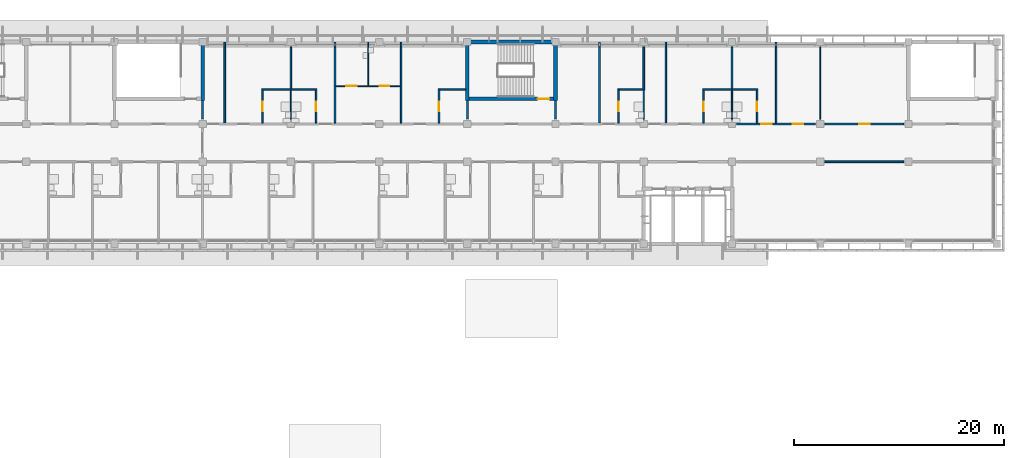
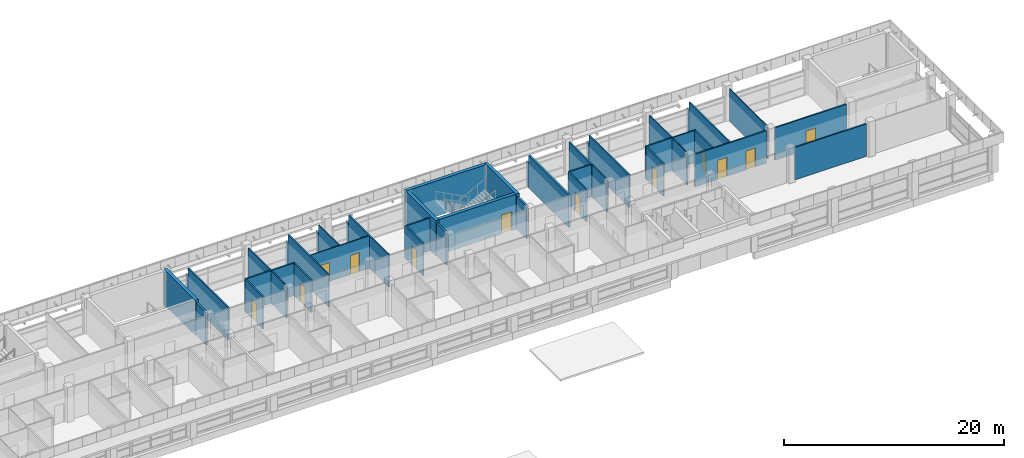
# One storey, part 20 of 36: 43 walls, 12 doors, 12 openings.
"""IFC4 building model written with IfcOpenShell, lengths in metres."""

from ifc_helpers import new_model, si_unit, direction, frame, frame_2d, origin, place, context, subcontext, project, spatial, rectangle, extrude, material, layer, layer_set, type_object, element, fill, save


model = new_model("IFC4")

# Units and contexts
model_context = context("Model", 3, precision=1e-05, world=origin(), true_north=direction((0.0, 1.0)))
body_context = subcontext(model_context, "Body", "Model", "MODEL_VIEW")
ifc_project = project(units=[si_unit("LENGTHUNIT", "METRE"), si_unit("AREAUNIT", "SQUARE_METRE"), si_unit("VOLUMEUNIT", "CUBIC_METRE"), si_unit("PLANEANGLEUNIT", "RADIAN"), si_unit("MASSUNIT", "GRAM", prefix="KILO")], contexts=[model_context])

# Site, building, storey
site_placement = place(None, origin())
site = spatial("IfcSite", under=ifc_project, at=site_placement, CompositionType="ELEMENT")
building_placement = place(site_placement, origin())
building = spatial("IfcBuilding", under=site, at=building_placement, Name="Bougainvillea Quay General Hospital", CompositionType="ELEMENT")
storey_placement = place(building_placement, frame((0.0, 0.0, 32.699951171875)))
storey = spatial("IfcBuildingStorey", under=building, at=storey_placement, Name="L07", CompositionType="ELEMENT", Elevation=32.699951171875)

# Wall
ifc_material_1 = material(Name="Gypsum board partition on steel studs", Category="steel")
ifc_layer_1 = layer(ifc_material_1, 0.10009765625)
ifc_layer_set_1 = layer_set([ifc_layer_1], Name="Gypsum board partition on steel studs")
wall_type_1 = type_object("IfcWallType", Name="Partition 100 Gypsum board partition", PredefinedType="PARTITIONING", material=ifc_layer_set_1)
wall_1_placement = place(storey_placement, frame((168.0, 152.25, 0.0), z_axis=(0.0, 0.0, 1.0), x_axis=(0.0, 1.0, 0.0)))
element("IfcWall", 1, at=wall_1_placement, inside=storey, type_object=wall_type_1, Name="Partition 100 mm", PredefinedType="PARTITIONING", context=body_context, shape_type="SweptSolid", body=[
    extrude(rectangle(XDim=6.89990234375, YDim=0.10009765625, at=frame_2d((3.449951171875, 0.0))), origin(), (0.0, 0.0, 1.0), 3.60009765625),
])

# Wall, openings, doors
wall_2_placement = place(storey_placement, frame((121.875, 155.39990234375, 0.0), z_axis=(0.0, 0.0, 1.0), x_axis=(1.0, 0.0, 0.0)))
wall_2 = element("IfcWall", 2, at=wall_2_placement, inside=storey, type_object=wall_type_1, Name="Partition 100 mm", PredefinedType="PARTITIONING", context=body_context, shape_type="SweptSolid", body=[
    extrude(rectangle(XDim=6.14990234375, YDim=0.10009765625, at=frame_2d((3.074951171875, 0.0))), origin(), (0.0, 0.0, 1.0), 3.60009765625),
])
opening_1_placement = place(wall_2_placement, frame((1.0, 0.0, 0.0)))
opening_1 = element("IfcOpeningElement", 3, at=opening_1_placement, cuts=wall_2, Name="Opening L07.055", PredefinedType="OPENING", context=body_context, shape_type="SweptSolid", body=[
    extrude(rectangle(XDim=1.0, YDim=2.10009765625, at=frame_2d((0.5, 1.050048828125))), frame((0.0, 0.06005859375, 0.0), z_axis=(0.0, -1.0, 0.0), x_axis=(1.0, 0.0, 0.0)), (0.0, 0.0, 1.0), 0.1201171875),
])
opening_2_placement = place(wall_2_placement, frame((4.199951171875, 0.0, 0.0)))
opening_2 = element("IfcOpeningElement", 4, at=opening_2_placement, cuts=wall_2, Name="Opening L07.056", PredefinedType="OPENING", context=body_context, shape_type="SweptSolid", body=[
    extrude(rectangle(XDim=0.89990234375, YDim=2.10009765625, at=frame_2d((0.449951171875, 1.050048828125))), frame((0.0, 0.06005859375, 0.0), z_axis=(0.0, -1.0, 0.0), x_axis=(1.0, 0.0, 0.0)), (0.0, 0.0, 1.0), 0.1201171875),
])
ifc_material_2 = material(Name="Solid-core timber door leaf in steel frame", Category="steel")
door_type_1 = type_object("IfcDoorType", Name="Single leaf door 1000x2100", OperationType="NOTDEFINED", PredefinedType="DOOR", material=ifc_material_2)
door_1_placement = place(opening_1_placement, origin())
door_1 = element("IfcDoor", 5, at=door_1_placement, inside=storey, type_object=door_type_1, Name="DT06 L07.055", OperationType="SINGLE_SWING_LEFT", OverallHeight=2.10009765625, OverallWidth=1.0, PredefinedType="DOOR", context=body_context, shape_type="SweptSolid", body=[
    extrude(rectangle(XDim=1.0, YDim=2.10009765625, at=frame_2d((0.5, 1.050048828125))), frame((0.0, 0.02490234375, 0.0), z_axis=(0.0, -1.0, 0.0), x_axis=(1.0, 0.0, 0.0)), (0.0, 0.0, 1.0), 0.050048828125),
])
fill(opening_1, door_1)
door_type_2 = type_object("IfcDoorType", Name="Single leaf door 900x2100", OperationType="NOTDEFINED", PredefinedType="DOOR", material=ifc_material_2)
door_2_placement = place(opening_2_placement, origin())
door_2 = element("IfcDoor", 6, at=door_2_placement, inside=storey, type_object=door_type_2, Name="DT07 L07.056", OperationType="SINGLE_SWING_RIGHT", OverallHeight=2.10009765625, OverallWidth=0.89990234375, PredefinedType="DOOR", context=body_context, shape_type="SweptSolid", body=[
    extrude(rectangle(XDim=0.89990234375, YDim=2.10009765625, at=frame_2d((0.449951171875, 1.050048828125))), frame((0.0, 0.02490234375, 0.0), z_axis=(0.0, -1.0, 0.0), x_axis=(1.0, 0.0, 0.0)), (0.0, 0.0, 1.0), 0.050048828125),
])
fill(opening_2, door_2)

# Walls
wall_3_placement = place(storey_placement, frame((124.949951171875, 155.449951171875, 0.0), z_axis=(0.0, 0.0, 1.0), x_axis=(0.0, 1.0, 0.0)))
element("IfcWall", 7, at=wall_3_placement, inside=storey, type_object=wall_type_1, Name="Partition 100 mm", PredefinedType="PARTITIONING", context=body_context, shape_type="SweptSolid", body=[
    extrude(rectangle(XDim=3.699951171875, YDim=0.10009765625, at=frame_2d((1.85009765625, 0.0))), origin(), (0.0, 0.0, 1.0), 3.60009765625),
])
wall_4_placement = place(storey_placement, frame((124.949951171875, 159.14990234375, 0.0), z_axis=(0.0, 0.0, 1.0), x_axis=(0.0, 1.0, 0.0)))
element("IfcWall", 8, at=wall_4_placement, inside=storey, type_object=wall_type_1, Name="Partition 100 mm", PredefinedType="PARTITIONING", context=body_context, shape_type="SweptSolid", body=[
    extrude(rectangle(XDim=0.4501953125, YDim=0.10009765625, at=frame_2d((0.22509765625, 0.0))), origin(), (0.0, 0.0, 1.0), 2.679931640625),
])
for number, where, z_axis, x_axis, name in (
    (9, (117.60009765625, 152.25, 0.0), (0.0, 0.0, 1.0), (0.0, 1.0, 0.0), "Partition 100 mm"),
    (10, (151.199951171875, 152.25, 0.0), (0.0, 0.0, 1.0), (0.0, 1.0, 0.0), "Partition 100 mm"),
    (11, (159.60009765625, 152.25, 0.0), (0.0, 0.0, 1.0), (0.0, 1.0, 0.0), "Partition 100 mm"),
):
    element("IfcWall", number, at=place(storey_placement, frame(where, z_axis=z_axis, x_axis=x_axis)), inside=storey, type_object=wall_type_1, Name=name, PredefinedType="PARTITIONING", context=body_context, shape_type="SweptSolid", body=[
        extrude(rectangle(XDim=2.77490234375, YDim=0.10009765625, at=frame_2d((1.387451171875, 0.0))), origin(), (0.0, 0.0, 1.0), 3.60009765625),
    ])
ifc_material_3 = material(Name="Gypsum board partition on steel studs, insulated", Category="steel")
ifc_layer_2 = layer(ifc_material_3, 0.14990234375)
ifc_layer_set_2 = layer_set([ifc_layer_2], Name="Gypsum board partition on steel studs, insulated")
wall_type_2 = type_object("IfcWallType", Name="Partition 150 Gypsum board partition", PredefinedType="PARTITIONING", material=ifc_layer_set_2)
wall_5_placement = place(storey_placement, frame((111.300048828125, 151.875, 0.0), z_axis=(0.0, 0.0, 1.0), x_axis=(0.0, 1.0, 0.0)))
element("IfcWall", 12, at=wall_5_placement, inside=storey, type_object=wall_type_2, Name="Partition 150 mm", PredefinedType="PARTITIONING", context=body_context, shape_type="SweptSolid", body=[
    extrude(rectangle(XDim=7.27490234375, YDim=0.14990234375, at=frame_2d((3.637451171875, 0.0))), origin(), (0.0, 0.0, 1.0), 3.60009765625),
])
wall_6_placement = place(storey_placement, frame((111.300048828125, 159.14990234375, 0.0), z_axis=(0.0, 0.0, 1.0), x_axis=(0.0, 1.0, 0.0)))
element("IfcWall", 13, at=wall_6_placement, inside=storey, type_object=wall_type_2, Name="Partition 150 mm", PredefinedType="PARTITIONING", context=body_context, shape_type="SweptSolid", body=[
    extrude(rectangle(XDim=0.4501953125, YDim=0.14990234375, at=frame_2d((0.22509765625, 0.0))), origin(), (0.0, 0.0, 1.0), 2.679931640625),
])
wall_7_placement = place(storey_placement, frame((121.800048828125, 151.875, 0.0), z_axis=(0.0, 0.0, 1.0), x_axis=(0.0, 1.0, 0.0)))
element("IfcWall", 14, at=wall_7_placement, inside=storey, type_object=wall_type_2, Name="Partition 150 mm", PredefinedType="PARTITIONING", context=body_context, shape_type="SweptSolid", body=[
    extrude(rectangle(XDim=7.27490234375, YDim=0.14990234375, at=frame_2d((3.637451171875, 0.0))), origin(), (0.0, 0.0, 1.0), 3.60009765625),
])
wall_8_placement = place(storey_placement, frame((121.800048828125, 159.14990234375, 0.0), z_axis=(0.0, 0.0, 1.0), x_axis=(0.0, 1.0, 0.0)))
element("IfcWall", 15, at=wall_8_placement, inside=storey, type_object=wall_type_2, Name="Partition 150 mm", PredefinedType="PARTITIONING", context=body_context, shape_type="SweptSolid", body=[
    extrude(rectangle(XDim=0.4501953125, YDim=0.14990234375, at=frame_2d((0.22509765625, 0.0))), origin(), (0.0, 0.0, 1.0), 2.679931640625),
])
wall_9_placement = place(storey_placement, frame((128.10009765625, 151.875, 0.0), z_axis=(0.0, 0.0, 1.0), x_axis=(0.0, 1.0, 0.0)))
element("IfcWall", 16, at=wall_9_placement, inside=storey, type_object=wall_type_2, Name="Partition 150 mm", PredefinedType="PARTITIONING", context=body_context, shape_type="SweptSolid", body=[
    extrude(rectangle(XDim=7.27490234375, YDim=0.14990234375, at=frame_2d((3.637451171875, 0.0))), origin(), (0.0, 0.0, 1.0), 3.60009765625),
])
wall_10_placement = place(storey_placement, frame((128.10009765625, 159.14990234375, 0.0), z_axis=(0.0, 0.0, 1.0), x_axis=(0.0, 1.0, 0.0)))
element("IfcWall", 17, at=wall_10_placement, inside=storey, type_object=wall_type_2, Name="Partition 150 mm", PredefinedType="PARTITIONING", context=body_context, shape_type="SweptSolid", body=[
    extrude(rectangle(XDim=0.4501953125, YDim=0.14990234375, at=frame_2d((0.22509765625, 0.0))), origin(), (0.0, 0.0, 1.0), 2.679931640625),
])
wall_11_placement = place(storey_placement, frame((153.300048828125, 151.875, 0.0), z_axis=(0.0, 0.0, 1.0), x_axis=(0.0, 1.0, 0.0)))
element("IfcWall", 18, at=wall_11_placement, inside=storey, type_object=wall_type_2, Name="Partition 150 mm", PredefinedType="PARTITIONING", context=body_context, shape_type="SweptSolid", body=[
    extrude(rectangle(XDim=7.27490234375, YDim=0.14990234375, at=frame_2d((3.637451171875, 0.0))), origin(), (0.0, 0.0, 1.0), 3.60009765625),
])
wall_12_placement = place(storey_placement, frame((153.300048828125, 159.14990234375, 0.0), z_axis=(0.0, 0.0, 1.0), x_axis=(0.0, 1.0, 0.0)))
element("IfcWall", 19, at=wall_12_placement, inside=storey, type_object=wall_type_2, Name="Partition 150 mm", PredefinedType="PARTITIONING", context=body_context, shape_type="SweptSolid", body=[
    extrude(rectangle(XDim=0.4501953125, YDim=0.14990234375, at=frame_2d((0.22509765625, 0.0))), origin(), (0.0, 0.0, 1.0), 2.679931640625),
])
wall_13_placement = place(storey_placement, frame((163.800048828125, 151.875, 0.0), z_axis=(0.0, 0.0, 1.0), x_axis=(0.0, 1.0, 0.0)))
element("IfcWall", 20, at=wall_13_placement, inside=storey, type_object=wall_type_2, Name="Partition 150 mm", PredefinedType="PARTITIONING", context=body_context, shape_type="SweptSolid", body=[
    extrude(rectangle(XDim=7.27490234375, YDim=0.14990234375, at=frame_2d((3.637451171875, 0.0))), origin(), (0.0, 0.0, 1.0), 3.60009765625),
])
wall_14_placement = place(storey_placement, frame((163.800048828125, 159.14990234375, 0.0), z_axis=(0.0, 0.0, 1.0), x_axis=(0.0, 1.0, 0.0)))
element("IfcWall", 21, at=wall_14_placement, inside=storey, type_object=wall_type_2, Name="Partition 150 mm", PredefinedType="PARTITIONING", context=body_context, shape_type="SweptSolid", body=[
    extrude(rectangle(XDim=0.4501953125, YDim=0.14990234375, at=frame_2d((0.22509765625, 0.0))), origin(), (0.0, 0.0, 1.0), 2.679931640625),
])
for number, where, z_axis, x_axis, name in (
    (22, (114.824951171875, 155.10009765625, 0.0), (0.0, 0.0, 1.0), (1.0, 0.0, 0.0), "Partition 150 mm"),
    (23, (156.824951171875, 155.10009765625, 0.0), (0.0, 0.0, 1.0), (1.0, 0.0, 0.0), "Partition 150 mm"),
):
    element("IfcWall", number, at=place(storey_placement, frame(where, z_axis=z_axis, x_axis=x_axis)), inside=storey, type_object=wall_type_2, Name=name, PredefinedType="PARTITIONING", context=body_context, shape_type="SweptSolid", body=[
        extrude(rectangle(XDim=5.25, YDim=0.14990234375, at=frame_2d((2.625, 0.0))), origin(), (0.0, 0.0, 1.0), 3.60009765625),
    ])
wall_15_placement = place(storey_placement, frame((117.60009765625, 155.175048828125, 0.0), z_axis=(0.0, 0.0, 1.0), x_axis=(0.0, 1.0, 0.0)))
element("IfcWall", 24, at=wall_15_placement, inside=storey, type_object=wall_type_2, Name="Partition 150 mm", PredefinedType="PARTITIONING", context=body_context, shape_type="SweptSolid", body=[
    extrude(rectangle(XDim=3.974853515625, YDim=0.14990234375, at=frame_2d((1.9873046875, 0.0))), origin(), (0.0, 0.0, 1.0), 3.60009765625),
])
wall_16_placement = place(storey_placement, frame((151.199951171875, 155.02490234375, 0.0), z_axis=(0.0, 0.0, 1.0), x_axis=(0.0, 1.0, 0.0)))
element("IfcWall", 25, at=wall_16_placement, inside=storey, type_object=wall_type_2, Name="Partition 150 mm", PredefinedType="PARTITIONING", context=body_context, shape_type="SweptSolid", body=[
    extrude(rectangle(XDim=4.125, YDim=0.14990234375, at=frame_2d((2.0625, 0.0))), origin(), (0.0, 0.0, 1.0), 3.60009765625),
])
wall_17_placement = place(storey_placement, frame((159.60009765625, 155.175048828125, 0.0), z_axis=(0.0, 0.0, 1.0), x_axis=(0.0, 1.0, 0.0)))
element("IfcWall", 26, at=wall_17_placement, inside=storey, type_object=wall_type_2, Name="Partition 150 mm", PredefinedType="PARTITIONING", context=body_context, shape_type="SweptSolid", body=[
    extrude(rectangle(XDim=3.974853515625, YDim=0.14990234375, at=frame_2d((1.9873046875, 0.0))), origin(), (0.0, 0.0, 1.0), 3.60009765625),
])

# Wall, opening, door
wall_18_placement = place(storey_placement, frame((114.89990234375, 151.875, 0.0), z_axis=(0.0, 0.0, 1.0), x_axis=(0.0, 1.0, 0.0)))
wall_18 = element("IfcWall", 27, at=wall_18_placement, inside=storey, type_object=wall_type_2, Name="Partition 150 mm", PredefinedType="PARTITIONING", context=body_context, shape_type="SweptSolid", body=[
    extrude(rectangle(XDim=3.14990234375, YDim=0.14990234375, at=frame_2d((1.574951171875, 0.0))), origin(), (0.0, 0.0, 1.0), 3.60009765625),
])
opening_3_placement = place(wall_18_placement, frame((1.125, 0.0, 0.0)))
opening_3 = element("IfcOpeningElement", 28, at=opening_3_placement, cuts=wall_18, Name="Opening L07.051", PredefinedType="OPENING", context=body_context, shape_type="SweptSolid", body=[
    extrude(rectangle(XDim=0.89990234375, YDim=2.10009765625, at=frame_2d((0.449951171875, 1.050048828125))), frame((0.0, 0.0849609375, 0.0), z_axis=(0.0, -1.0, 0.0), x_axis=(1.0, 0.0, 0.0)), (0.0, 0.0, 1.0), 0.169921875),
])
door_3_placement = place(opening_3_placement, frame((0.89990234375, 0.0, 0.0), z_axis=(0.0, 0.0, 1.0), x_axis=(-1.0, 0.0, 0.0)))
door_3 = element("IfcDoor", 29, at=door_3_placement, inside=storey, type_object=door_type_2, Name="DT07 L07.051", OperationType="SINGLE_SWING_LEFT", OverallHeight=2.10009765625, OverallWidth=0.89990234375, PredefinedType="DOOR", context=body_context, shape_type="SweptSolid", body=[
    extrude(rectangle(XDim=0.89990234375, YDim=2.10009765625, at=frame_2d((0.449951171875, 1.050048828125))), frame((0.0, 0.02490234375, 0.0), z_axis=(0.0, -1.0, 0.0), x_axis=(1.0, 0.0, 0.0)), (0.0, 0.0, 1.0), 0.050048828125),
])
fill(opening_3, door_3)

wall_19_placement = place(storey_placement, frame((120.0, 151.875, 0.0), z_axis=(0.0, 0.0, 1.0), x_axis=(0.0, 1.0, 0.0)))
wall_19 = element("IfcWall", 30, at=wall_19_placement, inside=storey, type_object=wall_type_2, Name="Partition 150 mm", PredefinedType="PARTITIONING", context=body_context, shape_type="SweptSolid", body=[
    extrude(rectangle(XDim=3.14990234375, YDim=0.14990234375, at=frame_2d((1.574951171875, 0.0))), origin(), (0.0, 0.0, 1.0), 3.60009765625),
])
opening_4_placement = place(wall_19_placement, frame((1.125, 0.0, 0.0)))
opening_4 = element("IfcOpeningElement", 31, at=opening_4_placement, cuts=wall_19, Name="Opening L07.053", PredefinedType="OPENING", context=body_context, shape_type="SweptSolid", body=[
    extrude(rectangle(XDim=0.89990234375, YDim=2.10009765625, at=frame_2d((0.449951171875, 1.050048828125))), frame((0.0, 0.0849609375, 0.0), z_axis=(0.0, -1.0, 0.0), x_axis=(1.0, 0.0, 0.0)), (0.0, 0.0, 1.0), 0.169921875),
])
door_4_placement = place(opening_4_placement, origin())
door_4 = element("IfcDoor", 32, at=door_4_placement, inside=storey, type_object=door_type_2, Name="DT07 L07.053", OperationType="SINGLE_SWING_RIGHT", OverallHeight=2.10009765625, OverallWidth=0.89990234375, PredefinedType="DOOR", context=body_context, shape_type="SweptSolid", body=[
    extrude(rectangle(XDim=0.89990234375, YDim=2.10009765625, at=frame_2d((0.449951171875, 1.050048828125))), frame((0.0, 0.02490234375, 0.0), z_axis=(0.0, -1.0, 0.0), x_axis=(1.0, 0.0, 0.0)), (0.0, 0.0, 1.0), 0.050048828125),
])
fill(opening_4, door_4)

wall_20_placement = place(storey_placement, frame((131.699951171875, 151.875, 0.0), z_axis=(0.0, 0.0, 1.0), x_axis=(0.0, 1.0, 0.0)))
wall_20 = element("IfcWall", 33, at=wall_20_placement, inside=storey, type_object=wall_type_2, Name="Partition 150 mm", PredefinedType="PARTITIONING", context=body_context, shape_type="SweptSolid", body=[
    extrude(rectangle(XDim=3.300048828125, YDim=0.14990234375, at=frame_2d((1.64990234375, 0.0))), origin(), (0.0, 0.0, 1.0), 3.60009765625),
])
opening_5_placement = place(wall_20_placement, frame((1.125, 0.0, 0.0)))
opening_5 = element("IfcOpeningElement", 34, at=opening_5_placement, cuts=wall_20, Name="Opening L07.058", PredefinedType="OPENING", context=body_context, shape_type="SweptSolid", body=[
    extrude(rectangle(XDim=0.89990234375, YDim=2.10009765625, at=frame_2d((0.449951171875, 1.050048828125))), frame((0.0, 0.0849609375, 0.0), z_axis=(0.0, -1.0, 0.0), x_axis=(1.0, 0.0, 0.0)), (0.0, 0.0, 1.0), 0.169921875),
])
door_5_placement = place(opening_5_placement, frame((0.89990234375, 0.0, 0.0), z_axis=(0.0, 0.0, 1.0), x_axis=(-1.0, 0.0, 0.0)))
door_5 = element("IfcDoor", 35, at=door_5_placement, inside=storey, type_object=door_type_2, Name="DT07 L07.058", OperationType="SINGLE_SWING_RIGHT", OverallHeight=2.10009765625, OverallWidth=0.89990234375, PredefinedType="DOOR", context=body_context, shape_type="SweptSolid", body=[
    extrude(rectangle(XDim=0.89990234375, YDim=2.10009765625, at=frame_2d((0.449951171875, 1.050048828125))), frame((0.0, 0.02490234375, 0.0), z_axis=(0.0, -1.0, 0.0), x_axis=(1.0, 0.0, 0.0)), (0.0, 0.0, 1.0), 0.050048828125),
])
fill(opening_5, door_5)

wall_21_placement = place(storey_placement, frame((148.800048828125, 151.875, 0.0), z_axis=(0.0, 0.0, 1.0), x_axis=(0.0, 1.0, 0.0)))
wall_21 = element("IfcWall", 36, at=wall_21_placement, inside=storey, type_object=wall_type_2, Name="Partition 150 mm", PredefinedType="PARTITIONING", context=body_context, shape_type="SweptSolid", body=[
    extrude(rectangle(XDim=3.300048828125, YDim=0.14990234375, at=frame_2d((1.64990234375, 0.0))), origin(), (0.0, 0.0, 1.0), 3.60009765625),
])
opening_6_placement = place(wall_21_placement, frame((1.125, 0.0, 0.0)))
opening_6 = element("IfcOpeningElement", 37, at=opening_6_placement, cuts=wall_21, Name="Opening L07.060", PredefinedType="OPENING", context=body_context, shape_type="SweptSolid", body=[
    extrude(rectangle(XDim=0.89990234375, YDim=2.10009765625, at=frame_2d((0.449951171875, 1.050048828125))), frame((0.0, 0.0849609375, 0.0), z_axis=(0.0, -1.0, 0.0), x_axis=(1.0, 0.0, 0.0)), (0.0, 0.0, 1.0), 0.169921875),
])
door_6_placement = place(opening_6_placement, frame((0.89990234375, 0.0, 0.0), z_axis=(0.0, 0.0, 1.0), x_axis=(-1.0, 0.0, 0.0)))
door_6 = element("IfcDoor", 38, at=door_6_placement, inside=storey, type_object=door_type_2, Name="DT07 L07.060", OperationType="SINGLE_SWING_RIGHT", OverallHeight=2.10009765625, OverallWidth=0.89990234375, PredefinedType="DOOR", context=body_context, shape_type="SweptSolid", body=[
    extrude(rectangle(XDim=0.89990234375, YDim=2.10009765625, at=frame_2d((0.449951171875, 1.050048828125))), frame((0.0, 0.02490234375, 0.0), z_axis=(0.0, -1.0, 0.0), x_axis=(1.0, 0.0, 0.0)), (0.0, 0.0, 1.0), 0.050048828125),
])
fill(opening_6, door_6)

wall_22_placement = place(storey_placement, frame((156.89990234375, 151.875, 0.0), z_axis=(0.0, 0.0, 1.0), x_axis=(0.0, 1.0, 0.0)))
wall_22 = element("IfcWall", 39, at=wall_22_placement, inside=storey, type_object=wall_type_2, Name="Partition 150 mm", PredefinedType="PARTITIONING", context=body_context, shape_type="SweptSolid", body=[
    extrude(rectangle(XDim=3.14990234375, YDim=0.14990234375, at=frame_2d((1.574951171875, 0.0))), origin(), (0.0, 0.0, 1.0), 3.60009765625),
])
opening_7_placement = place(wall_22_placement, frame((1.125, 0.0, 0.0)))
opening_7 = element("IfcOpeningElement", 40, at=opening_7_placement, cuts=wall_22, Name="Opening L07.063", PredefinedType="OPENING", context=body_context, shape_type="SweptSolid", body=[
    extrude(rectangle(XDim=0.89990234375, YDim=2.10009765625, at=frame_2d((0.449951171875, 1.050048828125))), frame((0.0, 0.0849609375, 0.0), z_axis=(0.0, -1.0, 0.0), x_axis=(1.0, 0.0, 0.0)), (0.0, 0.0, 1.0), 0.169921875),
])
door_7_placement = place(opening_7_placement, frame((0.89990234375, 0.0, 0.0), z_axis=(0.0, 0.0, 1.0), x_axis=(-1.0, 0.0, 0.0)))
door_7 = element("IfcDoor", 41, at=door_7_placement, inside=storey, type_object=door_type_2, Name="DT07 L07.063", OperationType="SINGLE_SWING_LEFT", OverallHeight=2.10009765625, OverallWidth=0.89990234375, PredefinedType="DOOR", context=body_context, shape_type="SweptSolid", body=[
    extrude(rectangle(XDim=0.89990234375, YDim=2.10009765625, at=frame_2d((0.449951171875, 1.050048828125))), frame((0.0, 0.02490234375, 0.0), z_axis=(0.0, -1.0, 0.0), x_axis=(1.0, 0.0, 0.0)), (0.0, 0.0, 1.0), 0.050048828125),
])
fill(opening_7, door_7)

wall_23_placement = place(storey_placement, frame((162.0, 151.875, 0.0), z_axis=(0.0, 0.0, 1.0), x_axis=(0.0, 1.0, 0.0)))
wall_23 = element("IfcWall", 42, at=wall_23_placement, inside=storey, type_object=wall_type_2, Name="Partition 150 mm", PredefinedType="PARTITIONING", context=body_context, shape_type="SweptSolid", body=[
    extrude(rectangle(XDim=3.14990234375, YDim=0.14990234375, at=frame_2d((1.574951171875, 0.0))), origin(), (0.0, 0.0, 1.0), 3.60009765625),
])
opening_8_placement = place(wall_23_placement, frame((1.125, 0.0, 0.0)))
opening_8 = element("IfcOpeningElement", 43, at=opening_8_placement, cuts=wall_23, Name="Opening L07.065", PredefinedType="OPENING", context=body_context, shape_type="SweptSolid", body=[
    extrude(rectangle(XDim=0.89990234375, YDim=2.10009765625, at=frame_2d((0.449951171875, 1.050048828125))), frame((0.0, 0.0849609375, 0.0), z_axis=(0.0, -1.0, 0.0), x_axis=(1.0, 0.0, 0.0)), (0.0, 0.0, 1.0), 0.169921875),
])
door_8_placement = place(opening_8_placement, origin())
door_8 = element("IfcDoor", 44, at=door_8_placement, inside=storey, type_object=door_type_2, Name="DT07 L07.065", OperationType="SINGLE_SWING_RIGHT", OverallHeight=2.10009765625, OverallWidth=0.89990234375, PredefinedType="DOOR", context=body_context, shape_type="SweptSolid", body=[
    extrude(rectangle(XDim=0.89990234375, YDim=2.10009765625, at=frame_2d((0.449951171875, 1.050048828125))), frame((0.0, 0.02490234375, 0.0), z_axis=(0.0, -1.0, 0.0), x_axis=(1.0, 0.0, 0.0)), (0.0, 0.0, 1.0), 0.050048828125),
])
fill(opening_8, door_8)

# Walls
wall_24_placement = place(storey_placement, frame((131.77490234375, 155.10009765625, 0.0), z_axis=(0.0, 0.0, 1.0), x_axis=(1.0, 0.0, 0.0)))
element("IfcWall", 45, at=wall_24_placement, inside=storey, type_object=wall_type_2, Name="Partition 150 mm", PredefinedType="PARTITIONING", context=body_context, shape_type="SweptSolid", body=[
    extrude(rectangle(XDim=2.4501953125, YDim=0.14990234375, at=frame_2d((1.22509765625, 0.0))), origin(), (0.0, 0.0, 1.0), 3.60009765625),
])
wall_25_placement = place(storey_placement, frame((148.875, 155.10009765625, 0.0), z_axis=(0.0, 0.0, 1.0), x_axis=(1.0, 0.0, 0.0)))
element("IfcWall", 46, at=wall_25_placement, inside=storey, type_object=wall_type_2, Name="Partition 150 mm", PredefinedType="PARTITIONING", context=body_context, shape_type="SweptSolid", body=[
    extrude(rectangle(XDim=2.25, YDim=0.14990234375, at=frame_2d((1.125, 0.0))), origin(), (0.0, 0.0, 1.0), 3.60009765625),
])
ifc_layer_3 = layer(ifc_material_3, 0.14990234375)
ifc_layer_set_3 = layer_set([ifc_layer_3], Name="Gypsum board partition on steel studs, insulated")
wall_type_3 = type_object("IfcWallType", Name="Partition 150 Gypsum board partition EI 30", PredefinedType="PARTITIONING", material=ifc_layer_set_3)
wall_26_placement = place(storey_placement, frame((168.449951171875, 148.199951171875, 0.0), z_axis=(0.0, 0.0, 1.0), x_axis=(1.0, 0.0, 0.0)))
element("IfcWall", 47, at=wall_26_placement, inside=storey, type_object=wall_type_3, Name="Partition 150 mm EI 30", PredefinedType="PARTITIONING", context=body_context, shape_type="SweptSolid", body=[
    extrude(rectangle(XDim=7.5, YDim=0.14990234375, at=frame_2d((3.75, 0.0))), origin(), (0.0, 0.0, 1.0), 3.60009765625),
])

# Wall, opening, door
wall_27_placement = place(storey_placement, frame((175.949951171875, 151.800048828125, 0.0), z_axis=(0.0, 0.0, 1.0), x_axis=(-1.0, 0.0, 0.0)))
wall_27 = element("IfcWall", 48, at=wall_27_placement, inside=storey, type_object=wall_type_3, Name="Partition 150 mm EI 30", PredefinedType="PARTITIONING", context=body_context, shape_type="SweptSolid", body=[
    extrude(rectangle(XDim=7.5, YDim=0.14990234375, at=frame_2d((3.75, 0.0))), origin(), (0.0, 0.0, 1.0), 3.60009765625),
])
opening_9_placement = place(wall_27_placement, frame((3.25, 0.0, 0.0)))
opening_9 = element("IfcOpeningElement", 49, at=opening_9_placement, cuts=wall_27, Name="Opening L07.067", PredefinedType="OPENING", context=body_context, shape_type="SweptSolid", body=[
    extrude(rectangle(XDim=1.0, YDim=2.10009765625, at=frame_2d((0.5, 1.050048828125))), frame((0.0, 0.0849609375, 0.0), z_axis=(0.0, -1.0, 0.0), x_axis=(1.0, 0.0, 0.0)), (0.0, 0.0, 1.0), 0.169921875),
])
door_type_3 = type_object("IfcDoorType", Name="Single leaf door 1000x2100 FD30S", OperationType="NOTDEFINED", PredefinedType="DOOR", material=ifc_material_2)
door_9_placement = place(opening_9_placement, frame((1.0, 0.0, 0.0), z_axis=(0.0, 0.0, 1.0), x_axis=(-1.0, 0.0, 0.0)))
door_9 = element("IfcDoor", 50, at=door_9_placement, inside=storey, type_object=door_type_3, Name="DT15 L07.067", OperationType="SINGLE_SWING_RIGHT", OverallHeight=2.10009765625, OverallWidth=1.0, PredefinedType="DOOR", context=body_context, shape_type="SweptSolid", body=[
    extrude(rectangle(XDim=1.0, YDim=2.10009765625, at=frame_2d((0.5, 1.050048828125))), frame((0.0, 0.02490234375, 0.0), z_axis=(0.0, -1.0, 0.0), x_axis=(1.0, 0.0, 0.0)), (0.0, 0.0, 1.0), 0.050048828125),
])
fill(opening_9, door_9)

# Wall, openings, doors
wall_28_placement = place(storey_placement, frame((167.550048828125, 151.800048828125, 0.0), z_axis=(0.0, 0.0, 1.0), x_axis=(-1.0, 0.0, 0.0)))
wall_28 = element("IfcWall", 51, at=wall_28_placement, inside=storey, type_object=wall_type_3, Name="Partition 150 mm EI 30", PredefinedType="PARTITIONING", context=body_context, shape_type="SweptSolid", body=[
    extrude(rectangle(XDim=7.5, YDim=0.14990234375, at=frame_2d((3.75, 0.0))), origin(), (0.0, 0.0, 1.0), 3.60009765625),
])
opening_10_placement = place(wall_28_placement, frame((4.14990234375, 0.0, 0.0)))
opening_10 = element("IfcOpeningElement", 52, at=opening_10_placement, cuts=wall_28, Name="Opening L07.064", PredefinedType="OPENING", context=body_context, shape_type="SweptSolid", body=[
    extrude(rectangle(XDim=1.0, YDim=2.10009765625, at=frame_2d((0.5, 1.050048828125))), frame((0.0, 0.0849609375, 0.0), z_axis=(0.0, -1.0, 0.0), x_axis=(1.0, 0.0, 0.0)), (0.0, 0.0, 1.0), 0.169921875),
])
opening_11_placement = place(wall_28_placement, frame((1.14990234375, 0.0, 0.0)))
opening_11 = element("IfcOpeningElement", 53, at=opening_11_placement, cuts=wall_28, Name="Opening L07.066", PredefinedType="OPENING", context=body_context, shape_type="SweptSolid", body=[
    extrude(rectangle(XDim=1.0, YDim=2.10009765625, at=frame_2d((0.5, 1.050048828125))), frame((0.0, 0.0849609375, 0.0), z_axis=(0.0, -1.0, 0.0), x_axis=(1.0, 0.0, 0.0)), (0.0, 0.0, 1.0), 0.169921875),
])
door_10_placement = place(opening_10_placement, frame((1.0, 0.0, 0.0), z_axis=(0.0, 0.0, 1.0), x_axis=(-1.0, 0.0, 0.0)))
door_10 = element("IfcDoor", 54, at=door_10_placement, inside=storey, type_object=door_type_3, Name="DT15 L07.064", OperationType="SINGLE_SWING_LEFT", OverallHeight=2.10009765625, OverallWidth=1.0, PredefinedType="DOOR", context=body_context, shape_type="SweptSolid", body=[
    extrude(rectangle(XDim=1.0, YDim=2.10009765625, at=frame_2d((0.5, 1.050048828125))), frame((0.0, 0.02490234375, 0.0), z_axis=(0.0, -1.0, 0.0), x_axis=(1.0, 0.0, 0.0)), (0.0, 0.0, 1.0), 0.050048828125),
])
fill(opening_10, door_10)
door_type_4 = type_object("IfcDoorType", Name="Single leaf door 1000x2100 FD60", OperationType="NOTDEFINED", PredefinedType="DOOR", material=ifc_material_2)
door_11_placement = place(opening_11_placement, frame((1.0, 0.0, 0.0), z_axis=(0.0, 0.0, 1.0), x_axis=(-1.0, 0.0, 0.0)))
door_11 = element("IfcDoor", 55, at=door_11_placement, inside=storey, type_object=door_type_4, Name="DT14 L07.066", OperationType="SINGLE_SWING_RIGHT", OverallHeight=2.10009765625, OverallWidth=1.0, PredefinedType="DOOR", context=body_context, shape_type="SweptSolid", body=[
    extrude(rectangle(XDim=1.0, YDim=2.10009765625, at=frame_2d((0.5, 1.050048828125))), frame((0.0, 0.02490234375, 0.0), z_axis=(0.0, -1.0, 0.0), x_axis=(1.0, 0.0, 0.0)), (0.0, 0.0, 1.0), 0.050048828125),
])
fill(opening_11, door_11)

# Walls
ifc_material_4 = material(Name="Fire-rated autoclaved aerated block wall, plastered")
ifc_layer_4 = layer(ifc_material_4, 0.199951171875)
ifc_layer_set_4 = layer_set([ifc_layer_4], Name="Fire-rated autoclaved aerated block wall, plastered")
wall_type_4 = type_object("IfcWallType", Name="Partition 200 Fire-rated autoclaved aerated block wall EI 120", PredefinedType="SOLIDWALL", material=ifc_layer_set_4)
for number, where, z_axis, x_axis, name in (
    (56, (109.199951171875, 154.02490234375, 0.0), (0.0, 0.0, 1.0), (0.0, -1.0, 0.0), "Partition 200 mm EI 120"),
    (57, (142.800048828125, 152.25, 0.0), (0.0, 0.0, 1.0), (0.0, 1.0, 0.0), "Partition 200 mm EI 120"),
):
    element("IfcWall", number, at=place(storey_placement, frame(where, z_axis=z_axis, x_axis=x_axis)), inside=storey, type_object=wall_type_4, Name=name, PredefinedType="SOLIDWALL", context=body_context, shape_type="SweptSolid", body=[
        extrude(rectangle(XDim=1.77490234375, YDim=0.199951171875, at=frame_2d((0.887451171875, 0.0))), origin(), (0.0, 0.0, 1.0), 3.60009765625),
    ])
wall_29_placement = place(storey_placement, frame((147.0, 151.89990234375, 0.0), z_axis=(0.0, 0.0, 1.0), x_axis=(0.0, 1.0, 0.0)))
element("IfcWall", 58, at=wall_29_placement, inside=storey, type_object=wall_type_4, Name="Partition 200 mm EI 120", PredefinedType="SOLIDWALL", context=body_context, shape_type="SweptSolid", body=[
    extrude(rectangle(XDim=7.25, YDim=0.199951171875, at=frame_2d((3.625, 0.0))), origin(), (0.0, 0.0, 1.0), 3.60009765625),
])
wall_30_placement = place(storey_placement, frame((147.0, 159.14990234375, 0.0), z_axis=(0.0, 0.0, 1.0), x_axis=(0.0, 1.0, 0.0)))
element("IfcWall", 59, at=wall_30_placement, inside=storey, type_object=wall_type_4, Name="Partition 200 mm EI 120", PredefinedType="SOLIDWALL", context=body_context, shape_type="SweptSolid", body=[
    extrude(rectangle(XDim=0.4501953125, YDim=0.199951171875, at=frame_2d((0.22509765625, 0.0))), origin(), (0.0, 0.0, 1.0), 2.679931640625),
])
wall_31_placement = place(storey_placement, frame((134.39990234375, 152.25, 0.0), z_axis=(0.0, 0.0, 1.0), x_axis=(0.0, 1.0, 0.0)))
element("IfcWall", 60, at=wall_31_placement, inside=storey, type_object=wall_type_4, Name="Partition 200 mm EI 120", PredefinedType="SOLIDWALL", context=body_context, shape_type="SweptSolid", body=[
    extrude(rectangle(XDim=1.77490234375, YDim=0.199951171875, at=frame_2d((0.887451171875, 0.0))), origin(), (0.0, 0.0, 1.0), 3.60009765625),
])
ifc_material_5 = material(Name="Concrete C40", Category="concrete")
ifc_layer_5 = layer(ifc_material_5, 0.35009765625)
ifc_layer_set_5 = layer_set([ifc_layer_5], Name="Concrete C40")
wall_type_5 = type_object("IfcWallType", Name="RC SHEAR WALL 350 C40", PredefinedType="SHEAR", material=ifc_layer_set_5)
wall_32_placement = place(storey_placement, frame((109.199951171875, 154.02490234375, 0.0), z_axis=(0.0, 0.0, 1.0), x_axis=(0.0, 1.0, 0.0)))
element("IfcWall", 61, at=wall_32_placement, inside=storey, type_object=wall_type_5, Name="Shear wall L07", PredefinedType="SHEAR", context=body_context, shape_type="SweptSolid", body=[
    extrude(rectangle(XDim=5.75, YDim=0.35009765625, at=frame_2d((2.875, 0.0))), origin(), (0.0, 0.0, 1.0), 3.900146484375),
])
wall_33_placement = place(storey_placement, frame((134.22509765625, 159.60009765625, 0.0), z_axis=(0.0, 0.0, 1.0), x_axis=(1.0, 0.0, 0.0)))
element("IfcWall", 62, at=wall_33_placement, inside=storey, type_object=wall_type_5, Name="Shear wall L07", PredefinedType="SHEAR", context=body_context, shape_type="SweptSolid", body=[
    extrude(rectangle(XDim=8.39990234375, YDim=0.35009765625, at=frame_2d((4.199951171875, 0.0))), origin(), (0.0, 0.0, 1.0), 3.900146484375),
])
wall_34_placement = place(storey_placement, frame((134.39990234375, 154.02490234375, 0.0), z_axis=(0.0, 0.0, 1.0), x_axis=(0.0, 1.0, 0.0)))
element("IfcWall", 63, at=wall_34_placement, inside=storey, type_object=wall_type_5, Name="Shear wall L07", PredefinedType="SHEAR", context=body_context, shape_type="SweptSolid", body=[
    extrude(rectangle(XDim=5.400146484375, YDim=0.35009765625, at=frame_2d((2.7001953125, 0.0))), origin(), (0.0, 0.0, 1.0), 3.900146484375),
])

# Wall, opening, door
wall_35_placement = place(storey_placement, frame((134.574951171875, 154.199951171875, 0.0), z_axis=(0.0, 0.0, 1.0), x_axis=(1.0, 0.0, 0.0)))
wall_35 = element("IfcWall", 64, at=wall_35_placement, inside=storey, type_object=wall_type_5, Name="Shear wall L07", PredefinedType="SHEAR", context=body_context, shape_type="SweptSolid", body=[
    extrude(rectangle(XDim=8.050048828125, YDim=0.35009765625, at=frame_2d((4.02490234375, 0.0))), origin(), (0.0, 0.0, 1.0), 3.900146484375),
])
opening_12_placement = place(wall_35_placement, frame((6.52490234375, 0.0, 0.0)))
opening_12 = element("IfcOpeningElement", 65, at=opening_12_placement, cuts=wall_35, Name="Opening L07.076", PredefinedType="OPENING", context=body_context, shape_type="SweptSolid", body=[
    extrude(rectangle(XDim=1.10009765625, YDim=2.10009765625, at=frame_2d((0.550048828125, 1.050048828125))), frame((0.0, 0.18505859375, 0.0), z_axis=(0.0, -1.0, 0.0), x_axis=(1.0, 0.0, 0.0)), (0.0, 0.0, 1.0), 0.3701171875),
])
ifc_material_6 = material(Name="Steel fire door leaf in steel frame", Category="steel")
door_type_5 = type_object("IfcDoorType", Name="Steel single leaf door 1100x2100 FD60", OperationType="NOTDEFINED", PredefinedType="DOOR", material=ifc_material_6)
door_12_placement = place(opening_12_placement, origin())
door_12 = element("IfcDoor", 66, at=door_12_placement, inside=storey, type_object=door_type_5, Name="DT04 L07.076", OperationType="SINGLE_SWING_RIGHT", OverallHeight=2.10009765625, OverallWidth=1.10009765625, PredefinedType="DOOR", context=body_context, shape_type="SweptSolid", body=[
    extrude(rectangle(XDim=1.10009765625, YDim=2.10009765625, at=frame_2d((0.550048828125, 1.050048828125))), frame((0.0, 0.02490234375, 0.0), z_axis=(0.0, -1.0, 0.0), x_axis=(1.0, 0.0, 0.0)), (0.0, 0.0, 1.0), 0.050048828125),
])
fill(opening_12, door_12)

# Wall
wall_36_placement = place(storey_placement, frame((142.800048828125, 154.02490234375, 0.0), z_axis=(0.0, 0.0, 1.0), x_axis=(0.0, 1.0, 0.0)))
element("IfcWall", 67, at=wall_36_placement, inside=storey, type_object=wall_type_5, Name="Shear wall L07", PredefinedType="SHEAR", context=body_context, shape_type="SweptSolid", body=[
    extrude(rectangle(XDim=5.75, YDim=0.35009765625, at=frame_2d((2.875, 0.0))), origin(), (0.0, 0.0, 1.0), 3.900146484375),
])

save(model, "model.ifc")
